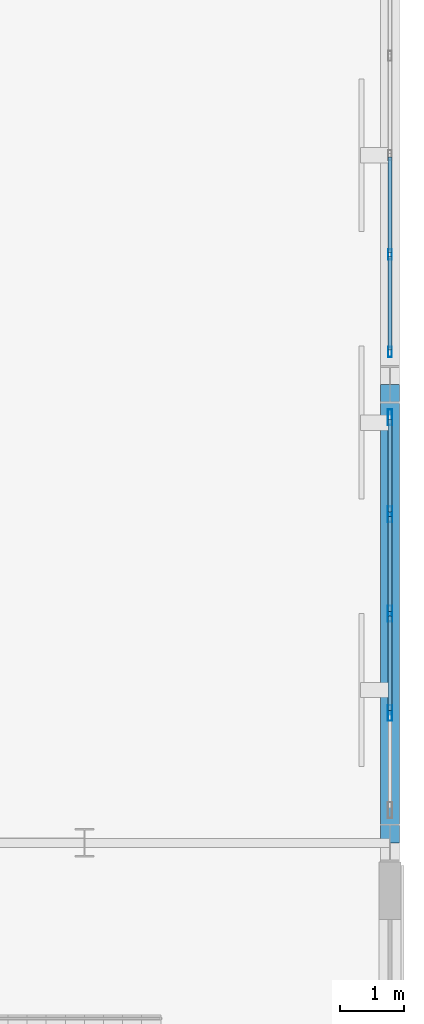
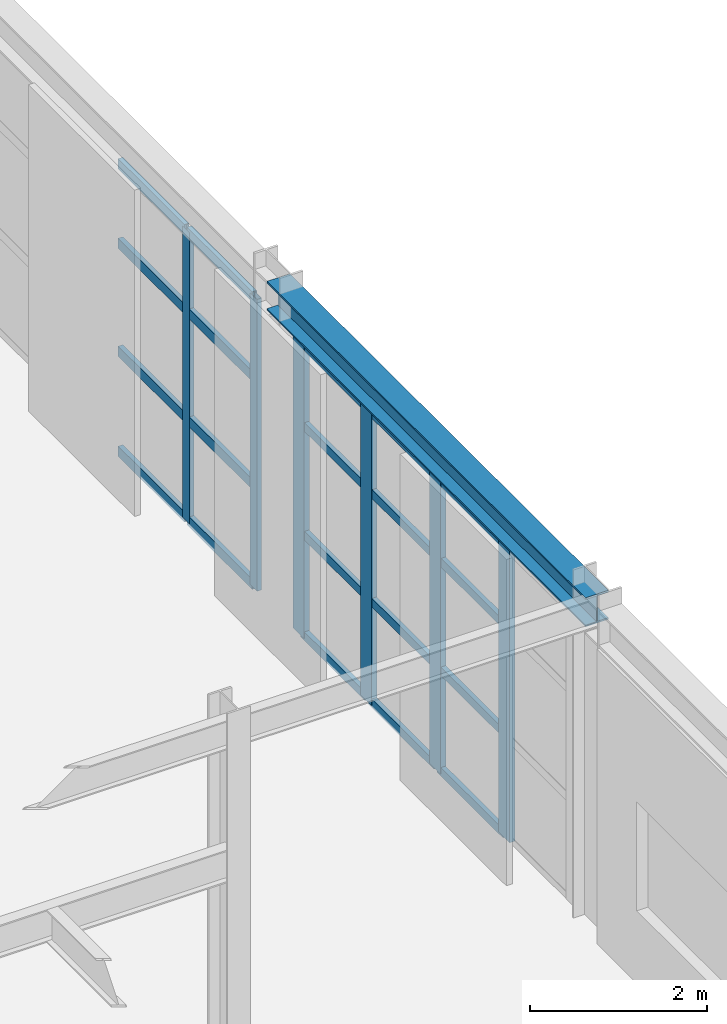
# One storey, part 46 of 83: 26 members, 1 beam, 2 elements without a shape of their own.
"""IFC4 building model written with IfcOpenShell, lengths in metres."""

from ifc_helpers import new_model, si_unit, direction, frame, origin, origin_2d, place, context, subcontext, project, spatial, hollow_rectangle, i_section, extrude, material, layer, layer_set, material_profile, profile_set, type_object, element, aggregate, save


model = new_model("IFC4")

# Units and contexts
model_context = context("Model", 3, precision=1e-05, world=origin(), true_north=direction((0.0, 1.0)))
body_context = subcontext(model_context, "Body", "Model", "MODEL_VIEW")
ifc_project = project(units=[si_unit("LENGTHUNIT", "METRE"), si_unit("AREAUNIT", "SQUARE_METRE"), si_unit("VOLUMEUNIT", "CUBIC_METRE"), si_unit("PLANEANGLEUNIT", "RADIAN"), si_unit("MASSUNIT", "GRAM", prefix="KILO")], contexts=[model_context])

# Site, building, storey
site_placement = place(None, origin())
site = spatial("IfcSite", under=ifc_project, at=site_placement, CompositionType="ELEMENT")
building_placement = place(site_placement, origin())
building = spatial("IfcBuilding", under=site, at=building_placement, Name="Solvadek Multi-Sports Hall", CompositionType="ELEMENT")
storey_placement = place(building_placement, origin())
storey = spatial("IfcBuildingStorey", under=building, at=storey_placement, Name="L00", CompositionType="ELEMENT", Elevation=0.0)

# Curtain wall, members
ifc_material_1 = material(Name="Anodised aluminium", Category="aluminium")
ifc_layer_1 = layer(ifc_material_1, 0.159912109375, Name="Anodised aluminium")
ifc_layer_set_1 = layer_set([ifc_layer_1], Name="Anodised aluminium")
curtain_wall_type_1 = type_object("IfcCurtainWallType", Name="ENV-CW-624X403", PredefinedType="USERDEFINED", material=ifc_layer_set_1)
curtain_wall_1_placement = place(storey_placement, origin())
curtain_wall_1 = element("IfcCurtainWall", 1, at=curtain_wall_1_placement, inside=storey, type_object=curtain_wall_type_1, Name="L00 Perimeter Bay Curtain Wall #148", ObjectType="CURTAIN WALL", PredefinedType="USERDEFINED")
ifc_material_profile_1 = material_profile(ifc_material_1, hollow_rectangle(XDim=0.06005859375, YDim=0.159912109375, WallThickness=0.00390625, at=origin_2d()), Name="ALU-M 160x60x4")
ifc_profile_set_1 = profile_set([ifc_material_profile_1], Name="Anodised aluminium")
member_type_1 = type_object("IfcMemberType", Name="ENV-CWM-01", PredefinedType="MULLION", material=ifc_profile_set_1)
member_1_placement = place(storey_placement, frame((161.39990234375, 56.909912109375, 0.0), z_axis=(0.0, 0.0, 1.0), x_axis=(-1.0, 0.0, 0.0)))
member_1 = element("IfcMember", 2, at=member_1_placement, type_object=member_type_1, Name="CW-43 mullion 1", PredefinedType="MULLION", context=body_context, shape_type="SweptSolid", body=[
    extrude(hollow_rectangle(XDim=0.06005859375, YDim=0.159912109375, WallThickness=0.00390625, at=origin_2d()), origin(), (0.0, 0.0, 1.0), 4.02490234375),
])
member_2_placement = place(storey_placement, frame((161.39990234375, 58.43994140625, 0.0), z_axis=(0.0, 0.0, 1.0), x_axis=(-1.0, 0.0, 0.0)))
member_2 = element("IfcMember", 3, at=member_2_placement, type_object=member_type_1, Name="CW-43 mullion 2", PredefinedType="MULLION", context=body_context, shape_type="SweptSolid", body=[
    extrude(hollow_rectangle(XDim=0.06005859375, YDim=0.159912109375, WallThickness=0.00390625, at=origin_2d()), origin(), (0.0, 0.0, 1.0), 4.02490234375),
])

ifc_layer_2 = layer(ifc_material_1, 0.159912109375, Name="Anodised aluminium")
ifc_layer_set_2 = layer_set([ifc_layer_2], Name="Anodised aluminium")
curtain_wall_type_2 = type_object("IfcCurtainWallType", Name="ENV-CW-624X405", PredefinedType="USERDEFINED", material=ifc_layer_set_2)
curtain_wall_2_placement = place(storey_placement, origin())
curtain_wall_2 = element("IfcCurtainWall", 4, at=curtain_wall_2_placement, inside=storey, type_object=curtain_wall_type_2, Name="L00 Perimeter Bay Curtain Wall #144", ObjectType="CURTAIN WALL", PredefinedType="USERDEFINED")
ifc_material_profile_2 = material_profile(ifc_material_1, hollow_rectangle(XDim=0.070068359375, YDim=0.25, WallThickness=0.0048828125, at=origin_2d()), Name="ALU-M 250x70x5")
ifc_profile_set_2 = profile_set([ifc_material_profile_2], Name="Anodised aluminium")
member_type_2 = type_object("IfcMemberType", Name="ENV-CWM-05", PredefinedType="MULLION", material=ifc_profile_set_2)
member_3_placement = place(storey_placement, frame((161.39990234375, 51.239990234375, 0.0), z_axis=(0.0, 0.0, 1.0), x_axis=(-1.0, 0.0, 0.0)))
member_3 = element("IfcMember", 5, at=member_3_placement, type_object=member_type_2, Name="CW-52 mullion 2", PredefinedType="MULLION", context=body_context, shape_type="SweptSolid", body=[
    extrude(hollow_rectangle(XDim=0.070068359375, YDim=0.25, WallThickness=0.0048828125, at=origin_2d()), origin(), (0.0, 0.0, 1.0), 4.050048828125),
])
member_4_placement = place(storey_placement, frame((161.39990234375, 52.800048828125, 0.0), z_axis=(0.0, 0.0, 1.0), x_axis=(-1.0, 0.0, 0.0)))
member_4 = element("IfcMember", 6, at=member_4_placement, type_object=member_type_2, Name="CW-52 mullion 3", PredefinedType="MULLION", context=body_context, shape_type="SweptSolid", body=[
    extrude(hollow_rectangle(XDim=0.070068359375, YDim=0.25, WallThickness=0.0048828125, at=origin_2d()), origin(), (0.0, 0.0, 1.0), 4.050048828125),
])
member_5_placement = place(storey_placement, frame((161.39990234375, 54.360107421875, 0.0), z_axis=(0.0, 0.0, 1.0), x_axis=(-1.0, 0.0, 0.0)))
member_5 = element("IfcMember", 7, at=member_5_placement, type_object=member_type_2, Name="CW-52 mullion 4", PredefinedType="MULLION", context=body_context, shape_type="SweptSolid", body=[
    extrude(hollow_rectangle(XDim=0.070068359375, YDim=0.25, WallThickness=0.0048828125, at=origin_2d()), origin(), (0.0, 0.0, 1.0), 4.050048828125),
])
member_6_placement = place(storey_placement, frame((161.39990234375, 55.885009765625, 0.0), z_axis=(0.0, 0.0, 1.0), x_axis=(-1.0, 0.0, 0.0)))
member_6 = element("IfcMember", 8, at=member_6_placement, type_object=member_type_2, Name="CW-52 mullion 5", PredefinedType="MULLION", context=body_context, shape_type="SweptSolid", body=[
    extrude(hollow_rectangle(XDim=0.070068359375, YDim=0.25, WallThickness=0.0048828125, at=origin_2d()), origin(), (0.0, 0.0, 1.0), 4.050048828125),
])
ifc_material_profile_3 = material_profile(ifc_material_1, hollow_rectangle(XDim=0.06005859375, YDim=0.1201171875, WallThickness=0.00390625, at=origin_2d()), Name="ALU-T 120x60x4")
ifc_profile_set_3 = profile_set([ifc_material_profile_3], Name="Anodised aluminium")
member_type_3 = type_object("IfcMemberType", Name="ENV-CWT-01", PredefinedType="USERDEFINED", material=ifc_profile_set_3)
member_7_placement = place(storey_placement, frame((161.39990234375, 51.27490234375, 0.030029296875), z_axis=(0.0, 1.0, 0.0), x_axis=(-1.0, 0.0, 0.0)))
member_7 = element("IfcMember", 9, at=member_7_placement, type_object=member_type_3, Name="CW-52 transom 2.1", ObjectType="TRANSOM", PredefinedType="USERDEFINED", context=body_context, shape_type="SweptSolid", body=[
    extrude(hollow_rectangle(XDim=0.06005859375, YDim=0.1201171875, WallThickness=0.00390625, at=origin_2d()), origin(), (0.0, 0.0, 1.0), 1.489990234375),
])
member_8_placement = place(storey_placement, frame((161.39990234375, 51.27490234375, 1.4169921875), z_axis=(0.0, 1.0, 0.0), x_axis=(-1.0, 0.0, 0.0)))
member_8 = element("IfcMember", 10, at=member_8_placement, type_object=member_type_3, Name="CW-52 transom 2.2", ObjectType="TRANSOM", PredefinedType="USERDEFINED", context=body_context, shape_type="SweptSolid", body=[
    extrude(hollow_rectangle(XDim=0.06005859375, YDim=0.1201171875, WallThickness=0.00390625, at=origin_2d()), origin(), (0.0, 0.0, 1.0), 1.489990234375),
])
member_9_placement = place(storey_placement, frame((161.39990234375, 51.27490234375, 2.916015625), z_axis=(0.0, 1.0, 0.0), x_axis=(-1.0, 0.0, 0.0)))
member_9 = element("IfcMember", 11, at=member_9_placement, type_object=member_type_3, Name="CW-52 transom 2.3", ObjectType="TRANSOM", PredefinedType="USERDEFINED", context=body_context, shape_type="SweptSolid", body=[
    extrude(hollow_rectangle(XDim=0.06005859375, YDim=0.1201171875, WallThickness=0.00390625, at=origin_2d()), origin(), (0.0, 0.0, 1.0), 1.489990234375),
])
member_10_placement = place(storey_placement, frame((161.39990234375, 51.27490234375, 4.02001953125), z_axis=(0.0, 1.0, 0.0), x_axis=(-1.0, 0.0, 0.0)))
member_10 = element("IfcMember", 12, at=member_10_placement, type_object=member_type_3, Name="CW-52 transom 2.4", ObjectType="TRANSOM", PredefinedType="USERDEFINED", context=body_context, shape_type="SweptSolid", body=[
    extrude(hollow_rectangle(XDim=0.06005859375, YDim=0.1201171875, WallThickness=0.00390625, at=origin_2d()), origin(), (0.0, 0.0, 1.0), 1.489990234375),
])
member_11_placement = place(storey_placement, frame((161.39990234375, 52.8349609375, 0.030029296875), z_axis=(0.0, 1.0, 0.0), x_axis=(-1.0, 0.0, 0.0)))
member_11 = element("IfcMember", 13, at=member_11_placement, type_object=member_type_3, Name="CW-52 transom 3.1", ObjectType="TRANSOM", PredefinedType="USERDEFINED", context=body_context, shape_type="SweptSolid", body=[
    extrude(hollow_rectangle(XDim=0.06005859375, YDim=0.1201171875, WallThickness=0.00390625, at=origin_2d()), origin(), (0.0, 0.0, 1.0), 1.489990234375),
])
member_12_placement = place(storey_placement, frame((161.39990234375, 52.8349609375, 1.4169921875), z_axis=(0.0, 1.0, 0.0), x_axis=(-1.0, 0.0, 0.0)))
member_12 = element("IfcMember", 14, at=member_12_placement, type_object=member_type_3, Name="CW-52 transom 3.2", ObjectType="TRANSOM", PredefinedType="USERDEFINED", context=body_context, shape_type="SweptSolid", body=[
    extrude(hollow_rectangle(XDim=0.06005859375, YDim=0.1201171875, WallThickness=0.00390625, at=origin_2d()), origin(), (0.0, 0.0, 1.0), 1.489990234375),
])
member_13_placement = place(storey_placement, frame((161.39990234375, 52.8349609375, 2.916015625), z_axis=(0.0, 1.0, 0.0), x_axis=(-1.0, 0.0, 0.0)))
member_13 = element("IfcMember", 15, at=member_13_placement, type_object=member_type_3, Name="CW-52 transom 3.3", ObjectType="TRANSOM", PredefinedType="USERDEFINED", context=body_context, shape_type="SweptSolid", body=[
    extrude(hollow_rectangle(XDim=0.06005859375, YDim=0.1201171875, WallThickness=0.00390625, at=origin_2d()), origin(), (0.0, 0.0, 1.0), 1.489990234375),
])
member_14_placement = place(storey_placement, frame((161.39990234375, 52.8349609375, 4.02001953125), z_axis=(0.0, 1.0, 0.0), x_axis=(-1.0, 0.0, 0.0)))
member_14 = element("IfcMember", 16, at=member_14_placement, type_object=member_type_3, Name="CW-52 transom 3.4", ObjectType="TRANSOM", PredefinedType="USERDEFINED", context=body_context, shape_type="SweptSolid", body=[
    extrude(hollow_rectangle(XDim=0.06005859375, YDim=0.1201171875, WallThickness=0.00390625, at=origin_2d()), origin(), (0.0, 0.0, 1.0), 1.489990234375),
])
member_15_placement = place(storey_placement, frame((161.39990234375, 54.39501953125, 0.030029296875), z_axis=(0.0, 1.0, 0.0), x_axis=(-1.0, 0.0, 0.0)))
member_15 = element("IfcMember", 17, at=member_15_placement, type_object=member_type_3, Name="CW-52 transom 4.1", ObjectType="TRANSOM", PredefinedType="USERDEFINED", context=body_context, shape_type="SweptSolid", body=[
    extrude(hollow_rectangle(XDim=0.06005859375, YDim=0.1201171875, WallThickness=0.00390625, at=origin_2d()), origin(), (0.0, 0.0, 1.0), 1.455078125),
])
member_16_placement = place(storey_placement, frame((161.39990234375, 54.39501953125, 1.4169921875), z_axis=(0.0, 1.0, 0.0), x_axis=(-1.0, 0.0, 0.0)))
member_16 = element("IfcMember", 18, at=member_16_placement, type_object=member_type_3, Name="CW-52 transom 4.2", ObjectType="TRANSOM", PredefinedType="USERDEFINED", context=body_context, shape_type="SweptSolid", body=[
    extrude(hollow_rectangle(XDim=0.06005859375, YDim=0.1201171875, WallThickness=0.00390625, at=origin_2d()), origin(), (0.0, 0.0, 1.0), 1.455078125),
])
member_17_placement = place(storey_placement, frame((161.39990234375, 54.39501953125, 2.916015625), z_axis=(0.0, 1.0, 0.0), x_axis=(-1.0, 0.0, 0.0)))
member_17 = element("IfcMember", 19, at=member_17_placement, type_object=member_type_3, Name="CW-52 transom 4.3", ObjectType="TRANSOM", PredefinedType="USERDEFINED", context=body_context, shape_type="SweptSolid", body=[
    extrude(hollow_rectangle(XDim=0.06005859375, YDim=0.1201171875, WallThickness=0.00390625, at=origin_2d()), origin(), (0.0, 0.0, 1.0), 1.455078125),
])
member_18_placement = place(storey_placement, frame((161.39990234375, 54.39501953125, 4.02001953125), z_axis=(0.0, 1.0, 0.0), x_axis=(-1.0, 0.0, 0.0)))
member_18 = element("IfcMember", 20, at=member_18_placement, type_object=member_type_3, Name="CW-52 transom 4.4", ObjectType="TRANSOM", PredefinedType="USERDEFINED", context=body_context, shape_type="SweptSolid", body=[
    extrude(hollow_rectangle(XDim=0.06005859375, YDim=0.1201171875, WallThickness=0.00390625, at=origin_2d()), origin(), (0.0, 0.0, 1.0), 1.455078125),
])
aggregate(curtain_wall_2, [member_3, member_4, member_5, member_6, member_7, member_8, member_9, member_10, member_11, member_12, member_13, member_14, member_15, member_16, member_17, member_18])

# Member
ifc_material_profile_4 = material_profile(ifc_material_1, hollow_rectangle(XDim=0.06005859375, YDim=0.139892578125, WallThickness=0.00390625, at=origin_2d()), Name="ALU-T 140x60x4")
ifc_profile_set_4 = profile_set([ifc_material_profile_4], Name="Anodised aluminium")
member_type_4 = type_object("IfcMemberType", Name="ENV-CWT-02", PredefinedType="USERDEFINED", material=ifc_profile_set_4)
member_19_placement = place(storey_placement, frame((161.39990234375, 56.93994140625, 0.030029296875), z_axis=(0.0, 1.0, 0.0), x_axis=(-1.0, 0.0, 0.0)))
member_19 = element("IfcMember", 21, at=member_19_placement, type_object=member_type_4, Name="CW-43 transom 1.1", ObjectType="TRANSOM", PredefinedType="USERDEFINED", context=body_context, shape_type="SweptSolid", body=[
    extrude(hollow_rectangle(XDim=0.06005859375, YDim=0.139892578125, WallThickness=0.00390625, at=origin_2d()), origin(), (0.0, 0.0, 1.0), 1.469970703125),
])

member_20_placement = place(storey_placement, frame((161.39990234375, 56.93994140625, 1.408935546875), z_axis=(0.0, 1.0, 0.0), x_axis=(-1.0, 0.0, 0.0)))
member_20 = element("IfcMember", 22, at=member_20_placement, type_object=member_type_4, Name="CW-43 transom 1.2", ObjectType="TRANSOM", PredefinedType="USERDEFINED", context=body_context, shape_type="SweptSolid", body=[
    extrude(hollow_rectangle(XDim=0.06005859375, YDim=0.139892578125, WallThickness=0.00390625, at=origin_2d()), origin(), (0.0, 0.0, 1.0), 1.469970703125),
])

member_21_placement = place(storey_placement, frame((161.39990234375, 56.93994140625, 2.89794921875), z_axis=(0.0, 1.0, 0.0), x_axis=(-1.0, 0.0, 0.0)))
member_21 = element("IfcMember", 23, at=member_21_placement, type_object=member_type_4, Name="CW-43 transom 1.3", ObjectType="TRANSOM", PredefinedType="USERDEFINED", context=body_context, shape_type="SweptSolid", body=[
    extrude(hollow_rectangle(XDim=0.06005859375, YDim=0.139892578125, WallThickness=0.00390625, at=origin_2d()), origin(), (0.0, 0.0, 1.0), 1.469970703125),
])

member_22_placement = place(storey_placement, frame((161.39990234375, 56.93994140625, 3.9951171875), z_axis=(0.0, 1.0, 0.0), x_axis=(-1.0, 0.0, 0.0)))
member_22 = element("IfcMember", 24, at=member_22_placement, type_object=member_type_4, Name="CW-43 transom 1.4", ObjectType="TRANSOM", PredefinedType="USERDEFINED", context=body_context, shape_type="SweptSolid", body=[
    extrude(hollow_rectangle(XDim=0.06005859375, YDim=0.139892578125, WallThickness=0.00390625, at=origin_2d()), origin(), (0.0, 0.0, 1.0), 1.469970703125),
])

member_23_placement = place(storey_placement, frame((161.39990234375, 58.469970703125, 0.030029296875), z_axis=(0.0, 1.0, 0.0), x_axis=(-1.0, 0.0, 0.0)))
member_23 = element("IfcMember", 25, at=member_23_placement, type_object=member_type_4, Name="CW-43 transom 2.1", ObjectType="TRANSOM", PredefinedType="USERDEFINED", context=body_context, shape_type="SweptSolid", body=[
    extrude(hollow_rectangle(XDim=0.06005859375, YDim=0.139892578125, WallThickness=0.00390625, at=origin_2d()), origin(), (0.0, 0.0, 1.0), 1.5),
])

member_24_placement = place(storey_placement, frame((161.39990234375, 58.469970703125, 1.408935546875), z_axis=(0.0, 1.0, 0.0), x_axis=(-1.0, 0.0, 0.0)))
member_24 = element("IfcMember", 26, at=member_24_placement, type_object=member_type_4, Name="CW-43 transom 2.2", ObjectType="TRANSOM", PredefinedType="USERDEFINED", context=body_context, shape_type="SweptSolid", body=[
    extrude(hollow_rectangle(XDim=0.06005859375, YDim=0.139892578125, WallThickness=0.00390625, at=origin_2d()), origin(), (0.0, 0.0, 1.0), 1.5),
])

member_25_placement = place(storey_placement, frame((161.39990234375, 58.469970703125, 2.89794921875), z_axis=(0.0, 1.0, 0.0), x_axis=(-1.0, 0.0, 0.0)))
member_25 = element("IfcMember", 27, at=member_25_placement, type_object=member_type_4, Name="CW-43 transom 2.3", ObjectType="TRANSOM", PredefinedType="USERDEFINED", context=body_context, shape_type="SweptSolid", body=[
    extrude(hollow_rectangle(XDim=0.06005859375, YDim=0.139892578125, WallThickness=0.00390625, at=origin_2d()), origin(), (0.0, 0.0, 1.0), 1.5),
])

member_26_placement = place(storey_placement, frame((161.39990234375, 58.469970703125, 3.9951171875), z_axis=(0.0, 1.0, 0.0), x_axis=(-1.0, 0.0, 0.0)))
member_26 = element("IfcMember", 28, at=member_26_placement, type_object=member_type_4, Name="CW-43 transom 2.4", ObjectType="TRANSOM", PredefinedType="USERDEFINED", context=body_context, shape_type="SweptSolid", body=[
    extrude(hollow_rectangle(XDim=0.06005859375, YDim=0.139892578125, WallThickness=0.00390625, at=origin_2d()), origin(), (0.0, 0.0, 1.0), 1.5),
])

aggregate(curtain_wall_1, [member_1, member_2, member_19, member_20, member_21, member_22, member_23, member_24, member_25, member_26])

# Beam
ifc_material_2 = material(Name="Steel E350 (350 MPa)", Category="steel")
ifc_material_profile_5 = material_profile(ifc_material_2, i_section(OverallWidth=0.300048828125, OverallDepth=0.39990234375, WebThickness=0.013427734375, FlangeThickness=0.02392578125, at=origin_2d()), Name="WPB 400")
ifc_profile_set_5 = profile_set([ifc_material_profile_5], Name="Steel E350 (350 MPa)")
beam_type = type_object("IfcBeamType", Name="STR-SPN-WPB400", PredefinedType="SPANDREL", material=ifc_profile_set_5)
beam_placement = place(storey_placement, frame((161.39990234375, 49.199951171875, 4.3798828125), z_axis=(0.0, 1.0, 0.0), x_axis=(-1.0, 0.0, 0.0)))
element("IfcBeam", 29, at=beam_placement, inside=storey, type_object=beam_type, Name="L00 Girder SP-02 #941", PredefinedType="SPANDREL", context=body_context, shape_type="SweptSolid", body=[
    extrude(i_section(OverallWidth=0.300048828125, OverallDepth=0.39990234375, WebThickness=0.013427734375, FlangeThickness=0.02392578125, at=origin_2d()), origin(), (0.0, 0.0, 1.0), 7.199951171875),
])

save(model, "model.ifc")
